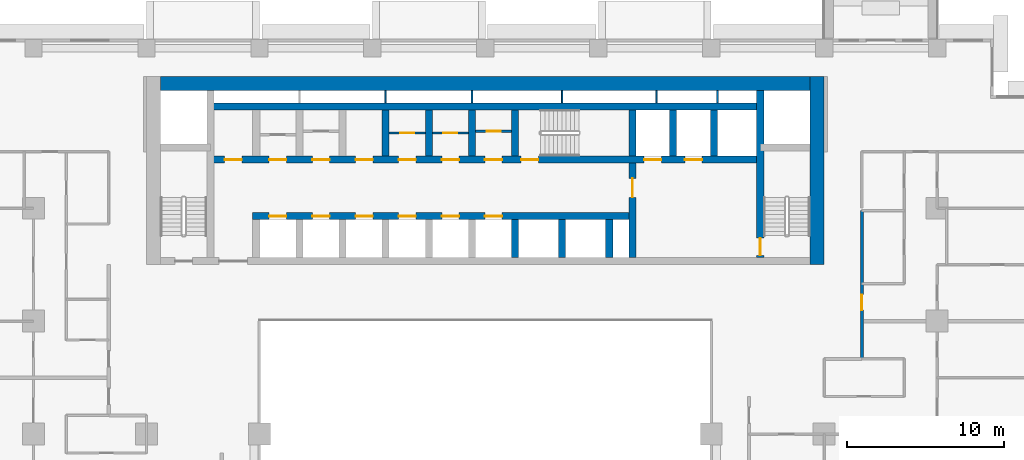
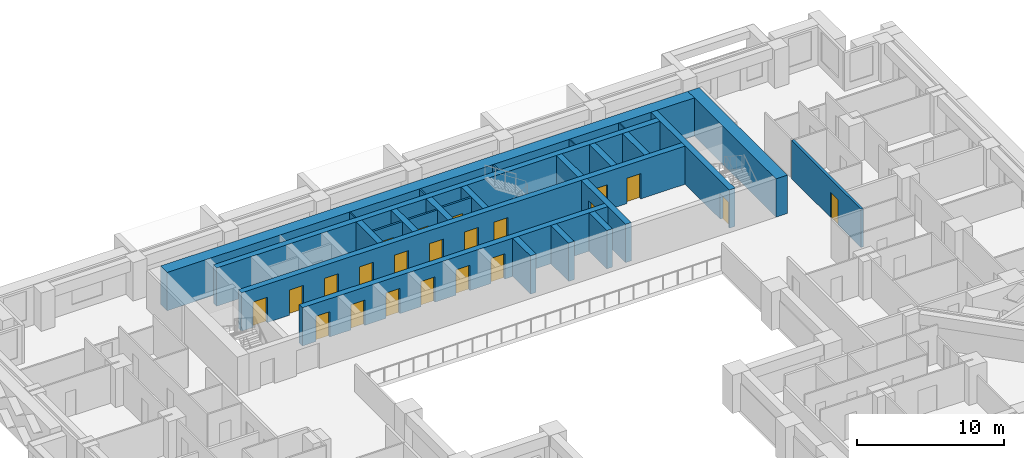
# One storey, part 10 of 16: 26 walls, 22 doors, 22 openings.
"""IFC4 building model written with IfcOpenShell, lengths in metres."""

from ifc_helpers import new_model, si_unit, direction, frame, frame_2d, origin, place, context, subcontext, project, spatial, rectangle, extrude, material, layer, layer_set, type_object, element, fill, save


model = new_model("IFC4")

# Units and contexts
model_context = context("Model", 3, precision=1e-05, world=origin(), true_north=direction((0.0, 1.0)))
body_context = subcontext(model_context, "Body", "Model", "MODEL_VIEW")
ifc_project = project(units=[si_unit("LENGTHUNIT", "METRE"), si_unit("AREAUNIT", "SQUARE_METRE"), si_unit("VOLUMEUNIT", "CUBIC_METRE"), si_unit("PLANEANGLEUNIT", "RADIAN"), si_unit("MASSUNIT", "GRAM", prefix="KILO")], contexts=[model_context])

# Site, building, storey
site_placement = place(None, origin())
site = spatial("IfcSite", under=ifc_project, at=site_placement, CompositionType="ELEMENT")
building_placement = place(site_placement, origin())
building = spatial("IfcBuilding", under=site, at=building_placement, Name="Saffron Iwan Residences", CompositionType="ELEMENT")
storey_placement = place(building_placement, frame((0.0, 0.0, 44.5)))
storey = spatial("IfcBuildingStorey", under=building, at=storey_placement, Name="L10", CompositionType="ELEMENT", Elevation=44.5)

# Wall, opening, door
ifc_material_1 = material(Name="Fire-rated plasterboard partition")
ifc_layer_1 = layer(ifc_material_1, 0.14990234375)
ifc_layer_set_1 = layer_set([ifc_layer_1], Name="Fire-rated plasterboard partition")
wall_type_1 = type_object("IfcWallType", Name="Core partition 150", PredefinedType="PARTITIONING", material=ifc_layer_set_1)
wall_1_placement = place(storey_placement, frame((44.27490234375, 74.39990234375, 0.0), z_axis=(0.0, 0.0, 1.0), x_axis=(1.0, 0.0, 0.0)))
wall_1 = element("IfcWall", 1, at=wall_1_placement, inside=storey, type_object=wall_type_1, Name="Core partition P03", PredefinedType="PARTITIONING", context=body_context, shape_type="SweptSolid", body=[
    extrude(rectangle(XDim=2.300048828125, YDim=0.14990234375, at=frame_2d((1.14990234375, 0.0))), origin(), (0.0, 0.0, 1.0), 3.179931640625),
])
opening_1_placement = place(wall_1_placement, frame((0.699951171875, 0.0, 0.0)))
opening_1 = element("IfcOpeningElement", 2, at=opening_1_placement, cuts=wall_1, Name="Opening SB", PredefinedType="OPENING", context=body_context, shape_type="SweptSolid", body=[
    extrude(rectangle(XDim=0.89990234375, YDim=2.10009765625, at=frame_2d((0.449951171875, 1.050048828125))), frame((0.0, 0.0849609375, 0.0), z_axis=(0.0, -1.0, 0.0), x_axis=(1.0, 0.0, 0.0)), (0.0, 0.0, 1.0), 0.169921875),
])
ifc_material_2 = material(Name="Steel fire door", Category="steel")
door_type_1 = type_object("IfcDoorType", Name="Store door 900", OperationType="NOTDEFINED", PredefinedType="DOOR", material=ifc_material_2)
door_1_placement = place(opening_1_placement, origin())
door_1 = element("IfcDoor", 3, at=door_1_placement, inside=storey, type_object=door_type_1, Name="Door Equipment store", OperationType="SINGLE_SWING_RIGHT", OverallHeight=2.10009765625, OverallWidth=0.89990234375, PredefinedType="DOOR", context=body_context, shape_type="SweptSolid", body=[
    extrude(rectangle(XDim=0.89990234375, YDim=2.10009765625, at=frame_2d((0.449951171875, 1.050048828125))), frame((0.0, 0.02490234375, 0.0), z_axis=(0.0, -1.0, 0.0), x_axis=(1.0, 0.0, 0.0)), (0.0, 0.0, 1.0), 0.050048828125),
])
fill(opening_1, door_1)

wall_2_placement = place(storey_placement, frame((47.02490234375, 74.39990234375, 0.0), z_axis=(0.0, 0.0, 1.0), x_axis=(1.0, 0.0, 0.0)))
wall_2 = element("IfcWall", 4, at=wall_2_placement, inside=storey, type_object=wall_type_1, Name="Core partition P04", PredefinedType="PARTITIONING", context=body_context, shape_type="SweptSolid", body=[
    extrude(rectangle(XDim=2.300048828125, YDim=0.14990234375, at=frame_2d((1.14990234375, 0.0))), origin(), (0.0, 0.0, 1.0), 3.179931640625),
])
opening_2_placement = place(wall_2_placement, frame((0.699951171875, 0.0, 0.0)))
opening_2 = element("IfcOpeningElement", 5, at=opening_2_placement, cuts=wall_2, Name="Opening SB", PredefinedType="OPENING", context=body_context, shape_type="SweptSolid", body=[
    extrude(rectangle(XDim=0.89990234375, YDim=2.10009765625, at=frame_2d((0.449951171875, 1.050048828125))), frame((0.0, 0.0849609375, 0.0), z_axis=(0.0, -1.0, 0.0), x_axis=(1.0, 0.0, 0.0)), (0.0, 0.0, 1.0), 0.169921875),
])
door_2_placement = place(opening_2_placement, origin())
door_2 = element("IfcDoor", 6, at=door_2_placement, inside=storey, type_object=door_type_1, Name="Door Mop store", OperationType="SINGLE_SWING_LEFT", OverallHeight=2.10009765625, OverallWidth=0.89990234375, PredefinedType="DOOR", context=body_context, shape_type="SweptSolid", body=[
    extrude(rectangle(XDim=0.89990234375, YDim=2.10009765625, at=frame_2d((0.449951171875, 1.050048828125))), frame((0.0, 0.02490234375, 0.0), z_axis=(0.0, -1.0, 0.0), x_axis=(1.0, 0.0, 0.0)), (0.0, 0.0, 1.0), 0.050048828125),
])
fill(opening_2, door_2)

wall_3_placement = place(storey_placement, frame((49.77490234375, 74.51806640625, 0.0), z_axis=(0.0, 0.0, 1.0), x_axis=(1.0, 0.0, 0.0)))
wall_3 = element("IfcWall", 7, at=wall_3_placement, inside=storey, type_object=wall_type_1, Name="Core partition P05", PredefinedType="PARTITIONING", context=body_context, shape_type="SweptSolid", body=[
    extrude(rectangle(XDim=2.300048828125, YDim=0.14990234375, at=frame_2d((1.14990234375, 0.0))), origin(), (0.0, 0.0, 1.0), 3.179931640625),
])
opening_3_placement = place(wall_3_placement, frame((0.699951171875, 0.0, 0.0)))
opening_3 = element("IfcOpeningElement", 8, at=opening_3_placement, cuts=wall_3, Name="Opening SB", PredefinedType="OPENING", context=body_context, shape_type="SweptSolid", body=[
    extrude(rectangle(XDim=0.89990234375, YDim=2.10009765625, at=frame_2d((0.449951171875, 1.050048828125))), frame((0.0, 0.0849609375, 0.0), z_axis=(0.0, -1.0, 0.0), x_axis=(1.0, 0.0, 0.0)), (0.0, 0.0, 1.0), 0.169921875),
])
door_3_placement = place(opening_3_placement, origin())
door_3 = element("IfcDoor", 9, at=door_3_placement, inside=storey, type_object=door_type_1, Name="Door Spares store", OperationType="SINGLE_SWING_LEFT", OverallHeight=2.10009765625, OverallWidth=0.89990234375, PredefinedType="DOOR", context=body_context, shape_type="SweptSolid", body=[
    extrude(rectangle(XDim=0.89990234375, YDim=2.10009765625, at=frame_2d((0.449951171875, 1.050048828125))), frame((0.0, 0.02490234375, 0.0), z_axis=(0.0, -1.0, 0.0), x_axis=(1.0, 0.0, 0.0)), (0.0, 0.0, 1.0), 0.050048828125),
])
fill(opening_3, door_3)

ifc_material_3 = material(Name="Fire-rated gypsum board wall")
ifc_layer_2 = layer(ifc_material_3, 0.199951171875)
ifc_layer_set_2 = layer_set([ifc_layer_2], Name="Fire-rated gypsum board wall")
wall_type_2 = type_object("IfcWallType", Name="Gallery wall 200", PredefinedType="SOLIDWALL", material=ifc_layer_set_2)
wall_4_placement = place(storey_placement, frame((74.39990234375, 60.0, 0.0), z_axis=(0.0, 0.0, 1.0), x_axis=(0.0, 1.0, 0.0)))
wall_4 = element("IfcWall", 10, at=wall_4_placement, inside=storey, type_object=wall_type_2, Name="W-L10-CORR-v74.4-60", PredefinedType="SOLIDWALL", context=body_context, shape_type="SweptSolid", body=[
    extrude(rectangle(XDim=9.449951171875, YDim=0.199951171875, at=frame_2d((4.72509765625, 0.0))), origin(), (0.0, 0.0, 1.0), 3.179931640625),
])
opening_4_placement = place(wall_4_placement, frame((3.10009765625, 0.0, 0.0)))
opening_4 = element("IfcOpeningElement", 11, at=opening_4_placement, cuts=wall_4, Name="Opening FD1", PredefinedType="OPENING", context=body_context, shape_type="SweptSolid", body=[
    extrude(rectangle(XDim=1.0, YDim=2.10009765625, at=frame_2d((0.5, 1.050048828125))), frame((0.0, 0.10986328125, 0.0), z_axis=(0.0, -1.0, 0.0), x_axis=(1.0, 0.0, 0.0)), (0.0, 0.0, 1.0), 0.219970703125),
])
ifc_material_4 = material(Name="Fire-rated timber door", Category="wood")
door_type_2 = type_object("IfcDoorType", Name="FD30S flat entrance door 1000", OperationType="NOTDEFINED", PredefinedType="DOOR", material=ifc_material_4)
door_4_placement = place(opening_4_placement, origin())
door_4 = element("IfcDoor", 12, at=door_4_placement, inside=storey, type_object=door_type_2, Name="Door L10-035", OperationType="SINGLE_SWING_LEFT", OverallHeight=2.10009765625, OverallWidth=1.0, PredefinedType="DOOR", context=body_context, shape_type="SweptSolid", body=[
    extrude(rectangle(XDim=1.0, YDim=2.10009765625, at=frame_2d((0.5, 1.050048828125))), frame((0.0, 0.02490234375, 0.0), z_axis=(0.0, -1.0, 0.0), x_axis=(1.0, 0.0, 0.0)), (0.0, 0.0, 1.0), 0.050048828125),
])
fill(opening_4, door_4)

# Walls
ifc_layer_3 = layer(ifc_material_1, 0.10009765625)
ifc_layer_set_3 = layer_set([ifc_layer_3], Name="Fire-rated plasterboard partition")
wall_type_3 = type_object("IfcWallType", Name="Riser partition 100", PredefinedType="PARTITIONING", material=ifc_layer_set_3)
for number, where, z_axis, x_axis, name in (
    (13, (44.050048828125, 76.324951171875, 0.0), (0.0, 0.0, 1.0), (0.0, 1.0, 0.0), "Core partition P07"),
    (14, (49.550048828125, 76.324951171875, 0.0), (0.0, 0.0, 1.0), (0.0, 1.0, 0.0), "Core partition P08"),
    (15, (55.300048828125, 76.324951171875, 0.0), (0.0, 0.0, 1.0), (0.0, 1.0, 0.0), "Core partition P09"),
    (16, (61.300048828125, 76.324951171875, 0.0), (0.0, 0.0, 1.0), (0.0, 1.0, 0.0), "Core partition P10"),
    (17, (65.199951171875, 76.324951171875, 0.0), (0.0, 0.0, 1.0), (0.0, 1.0, 0.0), "Core partition P11"),
):
    element("IfcWall", number, at=place(storey_placement, frame(where, z_axis=z_axis, x_axis=x_axis)), inside=storey, type_object=wall_type_3, Name=name, PredefinedType="PARTITIONING", context=body_context, shape_type="SweptSolid", body=[
        extrude(rectangle(XDim=0.775146484375, YDim=0.10009765625, at=frame_2d((0.3876953125, 0.0))), origin(), (0.0, 0.0, 1.0), 3.179931640625),
    ])

# Wall, openings, doors
ifc_material_5 = material(Name="Concrete C60/75", Category="concrete")
ifc_layer_4 = layer(ifc_material_5, 0.449951171875)
ifc_layer_set_4 = layer_set([ifc_layer_4], Name="Concrete C60/75")
wall_type_4 = type_object("IfcWallType", Name="WALL CORE 450 C60/75 3180 HIGH", PredefinedType="SHEAR", material=ifc_layer_set_4)
wall_5_placement = place(storey_placement, frame((35.574951171875, 69.10009765625, 0.0), z_axis=(0.0, 0.0, 1.0), x_axis=(1.0, 0.0, 0.0)))
wall_5 = element("IfcWall", 18, at=wall_5_placement, inside=storey, type_object=wall_type_4, Name="Core wall", PredefinedType="SHEAR", context=body_context, shape_type="SweptSolid", body=[
    extrude(rectangle(XDim=24.199951171875, YDim=0.449951171875, at=frame_2d((12.10009765625, 0.0))), origin(), (0.0, 0.0, 1.0), 3.179931640625),
])
opening_5_placement = place(wall_5_placement, frame((1.050048828125, 0.0, 0.0)))
opening_5 = element("IfcOpeningElement", 19, at=opening_5_placement, cuts=wall_5, Name="Opening LD", PredefinedType="OPENING", context=body_context, shape_type="SweptSolid", body=[
    extrude(rectangle(XDim=1.10009765625, YDim=2.10009765625, at=frame_2d((0.550048828125, 1.050048828125))), frame((0.0, 0.23486328125, 0.0), z_axis=(0.0, -1.0, 0.0), x_axis=(1.0, 0.0, 0.0)), (0.0, 0.0, 1.0), 0.469970703125),
])
opening_6_placement = place(wall_5_placement, frame((3.800048828125, 0.0, 0.0)))
opening_6 = element("IfcOpeningElement", 20, at=opening_6_placement, cuts=wall_5, Name="Opening LD", PredefinedType="OPENING", context=body_context, shape_type="SweptSolid", body=[
    extrude(rectangle(XDim=1.10009765625, YDim=2.10009765625, at=frame_2d((0.550048828125, 1.050048828125))), frame((0.0, 0.23486328125, 0.0), z_axis=(0.0, -1.0, 0.0), x_axis=(1.0, 0.0, 0.0)), (0.0, 0.0, 1.0), 0.469970703125),
])
opening_7_placement = place(wall_5_placement, frame((6.550048828125, 0.0, 0.0)))
opening_7 = element("IfcOpeningElement", 21, at=opening_7_placement, cuts=wall_5, Name="Opening LD", PredefinedType="OPENING", context=body_context, shape_type="SweptSolid", body=[
    extrude(rectangle(XDim=1.10009765625, YDim=2.10009765625, at=frame_2d((0.550048828125, 1.050048828125))), frame((0.0, 0.23486328125, 0.0), z_axis=(0.0, -1.0, 0.0), x_axis=(1.0, 0.0, 0.0)), (0.0, 0.0, 1.0), 0.469970703125),
])
opening_8_placement = place(wall_5_placement, frame((9.300048828125, 0.0, 0.0)))
opening_8 = element("IfcOpeningElement", 22, at=opening_8_placement, cuts=wall_5, Name="Opening LD", PredefinedType="OPENING", context=body_context, shape_type="SweptSolid", body=[
    extrude(rectangle(XDim=1.10009765625, YDim=2.10009765625, at=frame_2d((0.550048828125, 1.050048828125))), frame((0.0, 0.23486328125, 0.0), z_axis=(0.0, -1.0, 0.0), x_axis=(1.0, 0.0, 0.0)), (0.0, 0.0, 1.0), 0.469970703125),
])
opening_9_placement = place(wall_5_placement, frame((12.050048828125, 0.0, 0.0)))
opening_9 = element("IfcOpeningElement", 23, at=opening_9_placement, cuts=wall_5, Name="Opening LD", PredefinedType="OPENING", context=body_context, shape_type="SweptSolid", body=[
    extrude(rectangle(XDim=1.10009765625, YDim=2.10009765625, at=frame_2d((0.550048828125, 1.050048828125))), frame((0.0, 0.23486328125, 0.0), z_axis=(0.0, -1.0, 0.0), x_axis=(1.0, 0.0, 0.0)), (0.0, 0.0, 1.0), 0.469970703125),
])
opening_10_placement = place(wall_5_placement, frame((14.800048828125, 0.0, 0.0)))
opening_10 = element("IfcOpeningElement", 24, at=opening_10_placement, cuts=wall_5, Name="Opening LD", PredefinedType="OPENING", context=body_context, shape_type="SweptSolid", body=[
    extrude(rectangle(XDim=1.10009765625, YDim=2.10009765625, at=frame_2d((0.550048828125, 1.050048828125))), frame((0.0, 0.23486328125, 0.0), z_axis=(0.0, -1.0, 0.0), x_axis=(1.0, 0.0, 0.0)), (0.0, 0.0, 1.0), 0.469970703125),
])
door_type_3 = type_object("IfcDoorType", Name="Lift landing door 1100", OperationType="SLIDING_TO_LEFT", PredefinedType="DOOR", material=ifc_material_2)
door_5_placement = place(opening_5_placement, origin())
door_5 = element("IfcDoor", 25, at=door_5_placement, inside=storey, type_object=door_type_3, Name="Landing doors LR1", OperationType="SLIDING_TO_LEFT", OverallHeight=2.10009765625, OverallWidth=1.10009765625, PredefinedType="DOOR", context=body_context, shape_type="SweptSolid", body=[
    extrude(rectangle(XDim=1.10009765625, YDim=2.10009765625, at=frame_2d((0.550048828125, 1.050048828125))), frame((0.0, 0.02490234375, 0.0), z_axis=(0.0, -1.0, 0.0), x_axis=(1.0, 0.0, 0.0)), (0.0, 0.0, 1.0), 0.050048828125),
])
fill(opening_5, door_5)
door_6_placement = place(opening_6_placement, origin())
door_6 = element("IfcDoor", 26, at=door_6_placement, inside=storey, type_object=door_type_3, Name="Landing doors LR2", OperationType="SLIDING_TO_LEFT", OverallHeight=2.10009765625, OverallWidth=1.10009765625, PredefinedType="DOOR", context=body_context, shape_type="SweptSolid", body=[
    extrude(rectangle(XDim=1.10009765625, YDim=2.10009765625, at=frame_2d((0.550048828125, 1.050048828125))), frame((0.0, 0.02490234375, 0.0), z_axis=(0.0, -1.0, 0.0), x_axis=(1.0, 0.0, 0.0)), (0.0, 0.0, 1.0), 0.050048828125),
])
fill(opening_6, door_6)
door_7_placement = place(opening_7_placement, origin())
door_7 = element("IfcDoor", 27, at=door_7_placement, inside=storey, type_object=door_type_3, Name="Landing doors LR3", OperationType="SLIDING_TO_LEFT", OverallHeight=2.10009765625, OverallWidth=1.10009765625, PredefinedType="DOOR", context=body_context, shape_type="SweptSolid", body=[
    extrude(rectangle(XDim=1.10009765625, YDim=2.10009765625, at=frame_2d((0.550048828125, 1.050048828125))), frame((0.0, 0.02490234375, 0.0), z_axis=(0.0, -1.0, 0.0), x_axis=(1.0, 0.0, 0.0)), (0.0, 0.0, 1.0), 0.050048828125),
])
fill(opening_7, door_7)
door_8_placement = place(opening_8_placement, origin())
door_8 = element("IfcDoor", 28, at=door_8_placement, inside=storey, type_object=door_type_3, Name="Landing doors LR4", OperationType="SLIDING_TO_LEFT", OverallHeight=2.10009765625, OverallWidth=1.10009765625, PredefinedType="DOOR", context=body_context, shape_type="SweptSolid", body=[
    extrude(rectangle(XDim=1.10009765625, YDim=2.10009765625, at=frame_2d((0.550048828125, 1.050048828125))), frame((0.0, 0.02490234375, 0.0), z_axis=(0.0, -1.0, 0.0), x_axis=(1.0, 0.0, 0.0)), (0.0, 0.0, 1.0), 0.050048828125),
])
fill(opening_8, door_8)
door_9_placement = place(opening_9_placement, origin())
door_9 = element("IfcDoor", 29, at=door_9_placement, inside=storey, type_object=door_type_3, Name="Landing doors LR5", OperationType="SLIDING_TO_LEFT", OverallHeight=2.10009765625, OverallWidth=1.10009765625, PredefinedType="DOOR", context=body_context, shape_type="SweptSolid", body=[
    extrude(rectangle(XDim=1.10009765625, YDim=2.10009765625, at=frame_2d((0.550048828125, 1.050048828125))), frame((0.0, 0.02490234375, 0.0), z_axis=(0.0, -1.0, 0.0), x_axis=(1.0, 0.0, 0.0)), (0.0, 0.0, 1.0), 0.050048828125),
])
fill(opening_9, door_9)
door_10_placement = place(opening_10_placement, origin())
door_10 = element("IfcDoor", 30, at=door_10_placement, inside=storey, type_object=door_type_3, Name="Landing doors LR6", OperationType="SLIDING_TO_LEFT", OverallHeight=2.10009765625, OverallWidth=1.10009765625, PredefinedType="DOOR", context=body_context, shape_type="SweptSolid", body=[
    extrude(rectangle(XDim=1.10009765625, YDim=2.10009765625, at=frame_2d((0.550048828125, 1.050048828125))), frame((0.0, 0.02490234375, 0.0), z_axis=(0.0, -1.0, 0.0), x_axis=(1.0, 0.0, 0.0)), (0.0, 0.0, 1.0), 0.050048828125),
])
fill(opening_10, door_10)

wall_6_placement = place(storey_placement, frame((32.875, 72.699951171875, 0.0), z_axis=(0.0, 0.0, 1.0), x_axis=(1.0, 0.0, 0.0)))
wall_6 = element("IfcWall", 31, at=wall_6_placement, inside=storey, type_object=wall_type_4, Name="Core wall", PredefinedType="SHEAR", context=body_context, shape_type="SweptSolid", body=[
    extrude(rectangle(XDim=35.050048828125, YDim=0.449951171875, at=frame_2d((17.52490234375, 0.0))), origin(), (0.0, 0.0, 1.0), 3.179931640625),
])
opening_11_placement = place(wall_6_placement, frame((19.800048828125, 0.0, 0.0)))
opening_11 = element("IfcOpeningElement", 32, at=opening_11_placement, cuts=wall_6, Name="Opening SD", PredefinedType="OPENING", context=body_context, shape_type="SweptSolid", body=[
    extrude(rectangle(XDim=1.10009765625, YDim=2.10009765625, at=frame_2d((0.550048828125, 1.050048828125))), frame((0.0, 0.23486328125, 0.0), z_axis=(0.0, -1.0, 0.0), x_axis=(1.0, 0.0, 0.0)), (0.0, 0.0, 1.0), 0.469970703125),
])
opening_12_placement = place(wall_6_placement, frame((27.64990234375, 0.0, 0.0)))
opening_12 = element("IfcOpeningElement", 33, at=opening_12_placement, cuts=wall_6, Name="Opening LD", PredefinedType="OPENING", context=body_context, shape_type="SweptSolid", body=[
    extrude(rectangle(XDim=1.10009765625, YDim=2.10009765625, at=frame_2d((0.550048828125, 1.050048828125))), frame((0.0, 0.23486328125, 0.0), z_axis=(0.0, -1.0, 0.0), x_axis=(1.0, 0.0, 0.0)), (0.0, 0.0, 1.0), 0.469970703125),
])
opening_13_placement = place(wall_6_placement, frame((30.25, 0.0, 0.0)))
opening_13 = element("IfcOpeningElement", 34, at=opening_13_placement, cuts=wall_6, Name="Opening LD", PredefinedType="OPENING", context=body_context, shape_type="SweptSolid", body=[
    extrude(rectangle(XDim=1.10009765625, YDim=2.10009765625, at=frame_2d((0.550048828125, 1.050048828125))), frame((0.0, 0.23486328125, 0.0), z_axis=(0.0, -1.0, 0.0), x_axis=(1.0, 0.0, 0.0)), (0.0, 0.0, 1.0), 0.469970703125),
])
opening_14_placement = place(wall_6_placement, frame((3.75, 0.0, 0.0)))
opening_14 = element("IfcOpeningElement", 35, at=opening_14_placement, cuts=wall_6, Name="Opening SR", PredefinedType="OPENING", context=body_context, shape_type="SweptSolid", body=[
    extrude(rectangle(XDim=1.10009765625, YDim=2.10009765625, at=frame_2d((0.550048828125, 1.050048828125))), frame((0.0, 0.23486328125, 0.0), z_axis=(0.0, -1.0, 0.0), x_axis=(1.0, 0.0, 0.0)), (0.0, 0.0, 1.0), 0.469970703125),
])
opening_15_placement = place(wall_6_placement, frame((6.5, 0.0, 0.0)))
opening_15 = element("IfcOpeningElement", 36, at=opening_15_placement, cuts=wall_6, Name="Opening SR", PredefinedType="OPENING", context=body_context, shape_type="SweptSolid", body=[
    extrude(rectangle(XDim=1.10009765625, YDim=2.10009765625, at=frame_2d((0.550048828125, 1.050048828125))), frame((0.0, 0.23486328125, 0.0), z_axis=(0.0, -1.0, 0.0), x_axis=(1.0, 0.0, 0.0)), (0.0, 0.0, 1.0), 0.469970703125),
])
opening_16_placement = place(wall_6_placement, frame((9.25, 0.0, 0.0)))
opening_16 = element("IfcOpeningElement", 37, at=opening_16_placement, cuts=wall_6, Name="Opening SR", PredefinedType="OPENING", context=body_context, shape_type="SweptSolid", body=[
    extrude(rectangle(XDim=1.10009765625, YDim=2.10009765625, at=frame_2d((0.550048828125, 1.050048828125))), frame((0.0, 0.23486328125, 0.0), z_axis=(0.0, -1.0, 0.0), x_axis=(1.0, 0.0, 0.0)), (0.0, 0.0, 1.0), 0.469970703125),
])
opening_17_placement = place(wall_6_placement, frame((12.0, 0.0, 0.0)))
opening_17 = element("IfcOpeningElement", 38, at=opening_17_placement, cuts=wall_6, Name="Opening SR", PredefinedType="OPENING", context=body_context, shape_type="SweptSolid", body=[
    extrude(rectangle(XDim=1.10009765625, YDim=2.10009765625, at=frame_2d((0.550048828125, 1.050048828125))), frame((0.0, 0.23486328125, 0.0), z_axis=(0.0, -1.0, 0.0), x_axis=(1.0, 0.0, 0.0)), (0.0, 0.0, 1.0), 0.469970703125),
])
opening_18_placement = place(wall_6_placement, frame((14.75, 0.0, 0.0)))
opening_18 = element("IfcOpeningElement", 39, at=opening_18_placement, cuts=wall_6, Name="Opening SR", PredefinedType="OPENING", context=body_context, shape_type="SweptSolid", body=[
    extrude(rectangle(XDim=1.10009765625, YDim=2.10009765625, at=frame_2d((0.550048828125, 1.050048828125))), frame((0.0, 0.23486328125, 0.0), z_axis=(0.0, -1.0, 0.0), x_axis=(1.0, 0.0, 0.0)), (0.0, 0.0, 1.0), 0.469970703125),
])
opening_19_placement = place(wall_6_placement, frame((17.5, 0.0, 0.0)))
opening_19 = element("IfcOpeningElement", 40, at=opening_19_placement, cuts=wall_6, Name="Opening SR", PredefinedType="OPENING", context=body_context, shape_type="SweptSolid", body=[
    extrude(rectangle(XDim=1.10009765625, YDim=2.10009765625, at=frame_2d((0.550048828125, 1.050048828125))), frame((0.0, 0.23486328125, 0.0), z_axis=(0.0, -1.0, 0.0), x_axis=(1.0, 0.0, 0.0)), (0.0, 0.0, 1.0), 0.469970703125),
])
opening_20_placement = place(wall_6_placement, frame((0.91259765625, 0.0, 0.0)))
opening_20 = element("IfcOpeningElement", 41, at=opening_20_placement, cuts=wall_6, Name="Opening SR", PredefinedType="OPENING", context=body_context, shape_type="SweptSolid", body=[
    extrude(rectangle(XDim=1.10009765625, YDim=2.10009765625, at=frame_2d((0.550048828125, 1.050048828125))), frame((0.0, 0.23486328125, 0.0), z_axis=(0.0, -1.0, 0.0), x_axis=(1.0, 0.0, 0.0)), (0.0, 0.0, 1.0), 0.469970703125),
])
door_11_placement = place(opening_12_placement, origin())
door_11 = element("IfcDoor", 42, at=door_11_placement, inside=storey, type_object=door_type_3, Name="Landing doors FF1", OperationType="SLIDING_TO_LEFT", OverallHeight=2.10009765625, OverallWidth=1.10009765625, PredefinedType="DOOR", context=body_context, shape_type="SweptSolid", body=[
    extrude(rectangle(XDim=1.10009765625, YDim=2.10009765625, at=frame_2d((0.550048828125, 1.050048828125))), frame((0.0, 0.02490234375, 0.0), z_axis=(0.0, -1.0, 0.0), x_axis=(1.0, 0.0, 0.0)), (0.0, 0.0, 1.0), 0.050048828125),
])
fill(opening_12, door_11)
door_12_placement = place(opening_13_placement, origin())
door_12 = element("IfcDoor", 43, at=door_12_placement, inside=storey, type_object=door_type_3, Name="Landing doors FF2", OperationType="SLIDING_TO_LEFT", OverallHeight=2.10009765625, OverallWidth=1.10009765625, PredefinedType="DOOR", context=body_context, shape_type="SweptSolid", body=[
    extrude(rectangle(XDim=1.10009765625, YDim=2.10009765625, at=frame_2d((0.550048828125, 1.050048828125))), frame((0.0, 0.02490234375, 0.0), z_axis=(0.0, -1.0, 0.0), x_axis=(1.0, 0.0, 0.0)), (0.0, 0.0, 1.0), 0.050048828125),
])
fill(opening_13, door_12)
door_type_4 = type_object("IfcDoorType", Name="Service door 1100", OperationType="NOTDEFINED", PredefinedType="DOOR", material=ifc_material_2)
door_13_placement = place(opening_14_placement, origin())
door_13 = element("IfcDoor", 44, at=door_13_placement, inside=storey, type_object=door_type_4, Name="Door Switch room", OperationType="SINGLE_SWING_LEFT", OverallHeight=2.10009765625, OverallWidth=1.10009765625, PredefinedType="DOOR", context=body_context, shape_type="SweptSolid", body=[
    extrude(rectangle(XDim=1.10009765625, YDim=2.10009765625, at=frame_2d((0.550048828125, 1.050048828125))), frame((0.0, 0.02490234375, 0.0), z_axis=(0.0, -1.0, 0.0), x_axis=(1.0, 0.0, 0.0)), (0.0, 0.0, 1.0), 0.050048828125),
])
fill(opening_14, door_13)
door_14_placement = place(opening_15_placement, origin())
door_14 = element("IfcDoor", 45, at=door_14_placement, inside=storey, type_object=door_type_4, Name="Door Furniture store", OperationType="SINGLE_SWING_LEFT", OverallHeight=2.10009765625, OverallWidth=1.10009765625, PredefinedType="DOOR", context=body_context, shape_type="SweptSolid", body=[
    extrude(rectangle(XDim=1.10009765625, YDim=2.10009765625, at=frame_2d((0.550048828125, 1.050048828125))), frame((0.0, 0.02490234375, 0.0), z_axis=(0.0, -1.0, 0.0), x_axis=(1.0, 0.0, 0.0)), (0.0, 0.0, 1.0), 0.050048828125),
])
fill(opening_15, door_14)
door_15_placement = place(opening_16_placement, origin())
door_15 = element("IfcDoor", 46, at=door_15_placement, inside=storey, type_object=door_type_4, Name="Door Housekeeping store", OperationType="SINGLE_SWING_LEFT", OverallHeight=2.10009765625, OverallWidth=1.10009765625, PredefinedType="DOOR", context=body_context, shape_type="SweptSolid", body=[
    extrude(rectangle(XDim=1.10009765625, YDim=2.10009765625, at=frame_2d((0.550048828125, 1.050048828125))), frame((0.0, 0.02490234375, 0.0), z_axis=(0.0, -1.0, 0.0), x_axis=(1.0, 0.0, 0.0)), (0.0, 0.0, 1.0), 0.050048828125),
])
fill(opening_16, door_15)
door_16_placement = place(opening_17_placement, origin())
door_16 = element("IfcDoor", 47, at=door_16_placement, inside=storey, type_object=door_type_4, Name="Door Cleaner's store", OperationType="SINGLE_SWING_LEFT", OverallHeight=2.10009765625, OverallWidth=1.10009765625, PredefinedType="DOOR", context=body_context, shape_type="SweptSolid", body=[
    extrude(rectangle(XDim=1.10009765625, YDim=2.10009765625, at=frame_2d((0.550048828125, 1.050048828125))), frame((0.0, 0.02490234375, 0.0), z_axis=(0.0, -1.0, 0.0), x_axis=(1.0, 0.0, 0.0)), (0.0, 0.0, 1.0), 0.050048828125),
])
fill(opening_17, door_16)
door_17_placement = place(opening_18_placement, origin())
door_17 = element("IfcDoor", 48, at=door_17_placement, inside=storey, type_object=door_type_4, Name="Door Trolley store", OperationType="SINGLE_SWING_LEFT", OverallHeight=2.10009765625, OverallWidth=1.10009765625, PredefinedType="DOOR", context=body_context, shape_type="SweptSolid", body=[
    extrude(rectangle(XDim=1.10009765625, YDim=2.10009765625, at=frame_2d((0.550048828125, 1.050048828125))), frame((0.0, 0.02490234375, 0.0), z_axis=(0.0, -1.0, 0.0), x_axis=(1.0, 0.0, 0.0)), (0.0, 0.0, 1.0), 0.050048828125),
])
fill(opening_18, door_17)
door_18_placement = place(opening_19_placement, origin())
door_18 = element("IfcDoor", 49, at=door_18_placement, inside=storey, type_object=door_type_4, Name="Door Communications room", OperationType="SINGLE_SWING_LEFT", OverallHeight=2.10009765625, OverallWidth=1.10009765625, PredefinedType="DOOR", context=body_context, shape_type="SweptSolid", body=[
    extrude(rectangle(XDim=1.10009765625, YDim=2.10009765625, at=frame_2d((0.550048828125, 1.050048828125))), frame((0.0, 0.02490234375, 0.0), z_axis=(0.0, -1.0, 0.0), x_axis=(1.0, 0.0, 0.0)), (0.0, 0.0, 1.0), 0.050048828125),
])
fill(opening_19, door_18)
door_19_placement = place(opening_20_placement, origin())
door_19 = element("IfcDoor", 50, at=door_19_placement, inside=storey, type_object=door_type_4, Name="Door Meter room", OperationType="SINGLE_SWING_LEFT", OverallHeight=2.10009765625, OverallWidth=1.10009765625, PredefinedType="DOOR", context=body_context, shape_type="SweptSolid", body=[
    extrude(rectangle(XDim=1.10009765625, YDim=2.10009765625, at=frame_2d((0.550048828125, 1.050048828125))), frame((0.0, 0.02490234375, 0.0), z_axis=(0.0, -1.0, 0.0), x_axis=(1.0, 0.0, 0.0)), (0.0, 0.0, 1.0), 0.050048828125),
])
fill(opening_20, door_19)
door_type_5 = type_object("IfcDoorType", Name="Stair door 1100", OperationType="NOTDEFINED", PredefinedType="DOOR", material=ifc_material_2)
door_20_placement = place(opening_11_placement, origin())
door_20 = element("IfcDoor", 51, at=door_20_placement, inside=storey, type_object=door_type_5, Name="Stair door ST-C", OperationType="SINGLE_SWING_LEFT", OverallHeight=2.10009765625, OverallWidth=1.10009765625, PredefinedType="DOOR", context=body_context, shape_type="SweptSolid", body=[
    extrude(rectangle(XDim=1.10009765625, YDim=2.10009765625, at=frame_2d((0.550048828125, 1.050048828125))), frame((0.0, 0.02490234375, 0.0), z_axis=(0.0, -1.0, 0.0), x_axis=(1.0, 0.0, 0.0)), (0.0, 0.0, 1.0), 0.050048828125),
])
fill(opening_11, door_20)

# Wall
wall_7_placement = place(storey_placement, frame((32.875, 76.10009765625, 0.0), z_axis=(0.0, 0.0, 1.0), x_axis=(1.0, 0.0, 0.0)))
element("IfcWall", 52, at=wall_7_placement, inside=storey, type_object=wall_type_4, Name="Core wall", PredefinedType="SHEAR", context=body_context, shape_type="SweptSolid", body=[
    extrude(rectangle(XDim=35.050048828125, YDim=0.449951171875, at=frame_2d((17.52490234375, 0.0))), origin(), (0.0, 0.0, 1.0), 3.179931640625),
])

# Wall, opening, door
wall_8_placement = place(storey_placement, frame((67.925048828125, 66.449951171875, 0.0), z_axis=(0.0, 0.0, 1.0), x_axis=(0.0, 1.0, 0.0)))
wall_8 = element("IfcWall", 53, at=wall_8_placement, inside=storey, type_object=wall_type_4, Name="Core wall", PredefinedType="SHEAR", context=body_context, shape_type="SweptSolid", body=[
    extrude(rectangle(XDim=10.650146484375, YDim=0.449951171875, at=frame_2d((5.3251953125, 0.0))), origin(), (0.0, 0.0, 1.0), 3.179931640625),
])
opening_21_placement = place(wall_8_placement, frame((0.14990234375, 0.0, 0.0)))
opening_21 = element("IfcOpeningElement", 54, at=opening_21_placement, cuts=wall_8, Name="Opening SD", PredefinedType="OPENING", context=body_context, shape_type="SweptSolid", body=[
    extrude(rectangle(XDim=1.10009765625, YDim=2.10009765625, at=frame_2d((0.550048828125, 1.050048828125))), frame((0.0, 0.23486328125, 0.0), z_axis=(0.0, -1.0, 0.0), x_axis=(1.0, 0.0, 0.0)), (0.0, 0.0, 1.0), 0.469970703125),
])
door_21_placement = place(opening_21_placement, origin())
door_21 = element("IfcDoor", 55, at=door_21_placement, inside=storey, type_object=door_type_5, Name="Stair door ST-E", OperationType="SINGLE_SWING_LEFT", OverallHeight=2.10009765625, OverallWidth=1.10009765625, PredefinedType="DOOR", context=body_context, shape_type="SweptSolid", body=[
    extrude(rectangle(XDim=1.10009765625, YDim=2.10009765625, at=frame_2d((0.550048828125, 1.050048828125))), frame((0.0, 0.02490234375, 0.0), z_axis=(0.0, -1.0, 0.0), x_axis=(1.0, 0.0, 0.0)), (0.0, 0.0, 1.0), 0.050048828125),
])
fill(opening_21, door_21)

wall_9_placement = place(storey_placement, frame((59.77490234375, 66.449951171875, 0.0), z_axis=(0.0, 0.0, 1.0), x_axis=(0.0, 1.0, 0.0)))
wall_9 = element("IfcWall", 56, at=wall_9_placement, inside=storey, type_object=wall_type_4, Name="Core wall", PredefinedType="SHEAR", context=body_context, shape_type="SweptSolid", body=[
    extrude(rectangle(XDim=6.025146484375, YDim=0.449951171875, at=frame_2d((3.0126953125, 0.0))), origin(), (0.0, 0.0, 1.0), 3.179931640625),
])
opening_22_placement = place(wall_9_placement, frame((3.85009765625, 0.0, 0.0)))
opening_22 = element("IfcOpeningElement", 57, at=opening_22_placement, cuts=wall_9, Name="Opening FD", PredefinedType="OPENING", context=body_context, shape_type="SweptSolid", body=[
    extrude(rectangle(XDim=1.199951171875, YDim=2.10009765625, at=frame_2d((0.60009765625, 1.050048828125))), frame((0.0, 0.23486328125, 0.0), z_axis=(0.0, -1.0, 0.0), x_axis=(1.0, 0.0, 0.0)), (0.0, 0.0, 1.0), 0.469970703125),
])
door_type_6 = type_object("IfcDoorType", Name="Firefighting lobby door 1200", OperationType="NOTDEFINED", PredefinedType="DOOR", material=ifc_material_2)
door_22_placement = place(opening_22_placement, origin())
door_22 = element("IfcDoor", 58, at=door_22_placement, inside=storey, type_object=door_type_6, Name="Firefighting lobby door", OperationType="SINGLE_SWING_RIGHT", OverallHeight=2.10009765625, OverallWidth=1.199951171875, PredefinedType="DOOR", context=body_context, shape_type="SweptSolid", body=[
    extrude(rectangle(XDim=1.199951171875, YDim=2.10009765625, at=frame_2d((0.60009765625, 1.050048828125))), frame((0.0, 0.02490234375, 0.0), z_axis=(0.0, -1.0, 0.0), x_axis=(1.0, 0.0, 0.0)), (0.0, 0.0, 1.0), 0.050048828125),
])
fill(opening_22, door_22)

# Walls
wall_10_placement = place(storey_placement, frame((59.77490234375, 72.925048828125, 0.0), z_axis=(0.0, 0.0, 1.0), x_axis=(0.0, 1.0, 0.0)))
element("IfcWall", 59, at=wall_10_placement, inside=storey, type_object=wall_type_4, Name="Core wall", PredefinedType="SHEAR", context=body_context, shape_type="SweptSolid", body=[
    extrude(rectangle(XDim=2.949951171875, YDim=0.449951171875, at=frame_2d((1.47509765625, 0.0))), origin(), (0.0, 0.0, 1.0), 3.179931640625),
])
for number, where, z_axis, x_axis, name in (
    (60, (52.300048828125, 66.449951171875, 0.0), (0.0, 0.0, 1.0), (0.0, 1.0, 0.0), "Core wall"),
    (61, (55.300048828125, 66.449951171875, 0.0), (0.0, 0.0, 1.0), (0.0, 1.0, 0.0), "Core wall"),
    (62, (58.300048828125, 66.449951171875, 0.0), (0.0, 0.0, 1.0), (0.0, 1.0, 0.0), "Core wall"),
):
    element("IfcWall", number, at=place(storey_placement, frame(where, z_axis=z_axis, x_axis=x_axis)), inside=storey, type_object=wall_type_4, Name=name, PredefinedType="SHEAR", context=body_context, shape_type="SweptSolid", body=[
        extrude(rectangle(XDim=2.425048828125, YDim=0.449951171875, at=frame_2d((1.21240234375, 0.0))), origin(), (0.0, 0.0, 1.0), 3.179931640625),
    ])
for number, where, z_axis, x_axis, name in (
    (63, (44.050048828125, 72.925048828125, 0.0), (0.0, 0.0, 1.0), (0.0, 1.0, 0.0), "Core wall"),
    (64, (46.800048828125, 72.925048828125, 0.0), (0.0, 0.0, 1.0), (0.0, 1.0, 0.0), "Core wall"),
    (65, (49.550048828125, 72.925048828125, 0.0), (0.0, 0.0, 1.0), (0.0, 1.0, 0.0), "Core wall"),
    (66, (52.300048828125, 72.925048828125, 0.0), (0.0, 0.0, 1.0), (0.0, 1.0, 0.0), "Core wall"),
    (67, (62.375, 72.925048828125, 0.0), (0.0, 0.0, 1.0), (0.0, 1.0, 0.0), "Core wall"),
    (68, (64.97509765625, 72.925048828125, 0.0), (0.0, 0.0, 1.0), (0.0, 1.0, 0.0), "Core wall"),
):
    element("IfcWall", number, at=place(storey_placement, frame(where, z_axis=z_axis, x_axis=x_axis)), inside=storey, type_object=wall_type_4, Name=name, PredefinedType="SHEAR", context=body_context, shape_type="SweptSolid", body=[
        extrude(rectangle(XDim=2.949951171875, YDim=0.449951171875, at=frame_2d((1.47509765625, 0.0))), origin(), (0.0, 0.0, 1.0), 3.179931640625),
    ])
ifc_layer_5 = layer(ifc_material_5, 0.89990234375)
ifc_layer_set_5 = layer_set([ifc_layer_5], Name="Concrete C60/75")
wall_type_5 = type_object("IfcWallType", Name="WALL CORE 900 C60/75 3180 HIGH", PredefinedType="SHEAR", material=ifc_layer_set_5)
wall_11_placement = place(storey_placement, frame((71.550048828125, 66.0, 0.0), z_axis=(0.0, 0.0, 1.0), x_axis=(0.0, 1.0, 0.0)))
element("IfcWall", 69, at=wall_11_placement, inside=storey, type_object=wall_type_5, Name="Core wall", PredefinedType="SHEAR", context=body_context, shape_type="SweptSolid", body=[
    extrude(rectangle(XDim=12.0, YDim=0.89990234375, at=frame_2d((6.0, 0.0))), origin(), (0.0, 0.0, 1.0), 3.179931640625),
])
wall_12_placement = place(storey_placement, frame((29.699951171875, 77.550048828125, 0.0), z_axis=(0.0, 0.0, 1.0), x_axis=(1.0, 0.0, 0.0)))
element("IfcWall", 70, at=wall_12_placement, inside=storey, type_object=wall_type_5, Name="Core wall", PredefinedType="SHEAR", context=body_context, shape_type="SweptSolid", body=[
    extrude(rectangle(XDim=41.400146484375, YDim=0.89990234375, at=frame_2d((20.7001953125, 0.0))), origin(), (0.0, 0.0, 1.0), 3.179931640625),
])

save(model, "model.ifc")
